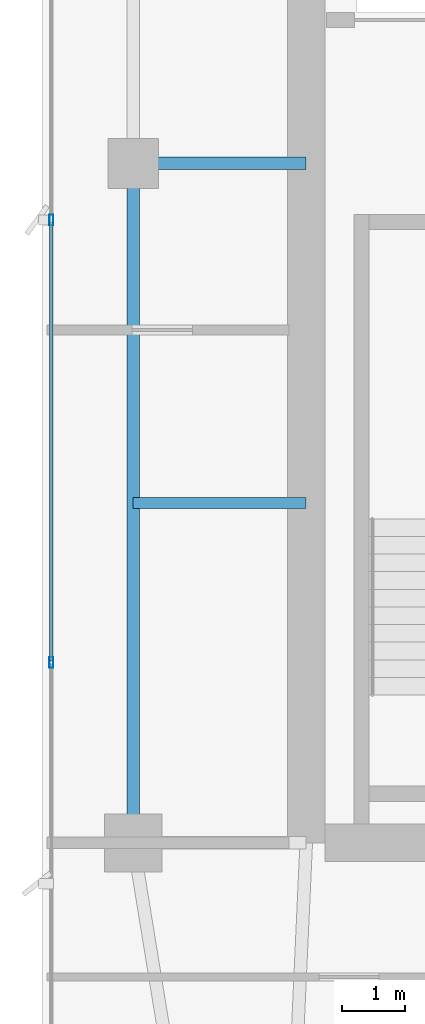
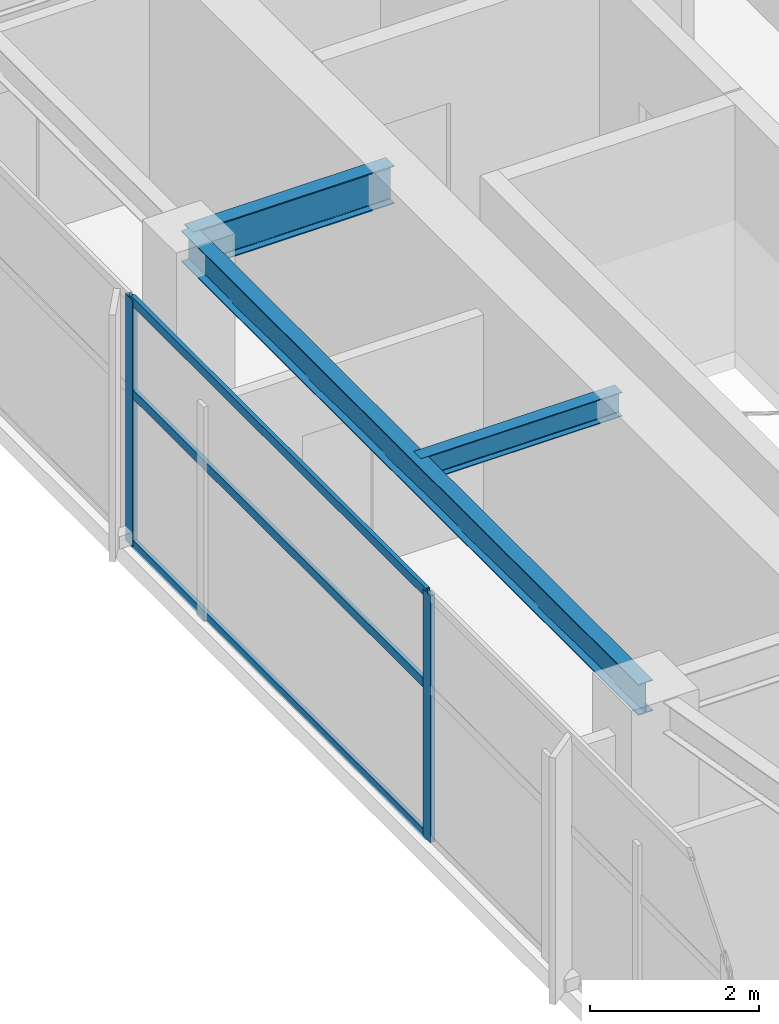
# One storey, part 9 of 28: 5 members, 3 beams, 1 element without a shape of its own.
"""IFC4 building model written with IfcOpenShell, lengths in metres."""

from ifc_helpers import new_model, si_unit, direction, frame, origin, origin_2d, place, context, subcontext, project, spatial, hollow_rectangle, i_section, extrude, material, layer, layer_set, material_profile, profile_set, type_object, element, aggregate, save


model = new_model("IFC4")

# Units and contexts
model_context = context("Model", 3, precision=1e-05, world=origin(), true_north=direction((0.0, 1.0)))
body_context = subcontext(model_context, "Body", "Model", "MODEL_VIEW")
ifc_project = project(units=[si_unit("LENGTHUNIT", "METRE"), si_unit("AREAUNIT", "SQUARE_METRE"), si_unit("VOLUMEUNIT", "CUBIC_METRE"), si_unit("PLANEANGLEUNIT", "RADIAN"), si_unit("MASSUNIT", "GRAM", prefix="KILO")], contexts=[model_context])

# Site, building, storey
site_placement = place(None, origin())
site = spatial("IfcSite", under=ifc_project, at=site_placement, CompositionType="ELEMENT")
building_placement = place(site_placement, origin())
building = spatial("IfcBuilding", under=site, at=building_placement, Name="Calvorn Quay Hotel", CompositionType="ELEMENT")
storey_placement = place(building_placement, frame((0.0, 0.0, 267.300048828125)))
storey = spatial("IfcBuildingStorey", under=building, at=storey_placement, Name="L66", CompositionType="ELEMENT", Elevation=267.300048828125)

# Beams
ifc_material_1 = material(Name="Steel Q355B", Category="steel")
ifc_material_profile_1 = material_profile(ifc_material_1, i_section(OverallWidth=0.199951171875, OverallDepth=0.550048828125, WebThickness=0.010009765625, FlangeThickness=0.01611328125, FilletRadius=0.01806640625, at=origin_2d()), Name="HN550x200x10x16")
ifc_profile_set_1 = profile_set([ifc_material_profile_1], Name="Steel Q355B")
beam_type_1 = type_object("IfcBeamType", Name="BM-GIRD-UPP", PredefinedType="BEAM", material=ifc_profile_set_1)
beam_1_placement = place(storey_placement, frame((1.449951171875, 27.60009765625, 3.264892578125), z_axis=(1.0, 0.0, 0.0), x_axis=(0.0, 1.0, 0.0)))
element("IfcBeam", 1, at=beam_1_placement, inside=storey, type_object=beam_type_1, Name="Beam BG-L66-W2", PredefinedType="BEAM", context=body_context, shape_type="SweptSolid", body=[
    extrude(i_section(OverallWidth=0.199951171875, OverallDepth=0.550048828125, WebThickness=0.010009765625, FlangeThickness=0.01611328125, FilletRadius=0.01806640625, at=origin_2d()), origin(), (0.0, 0.0, 1.0), 2.75),
])
ifc_material_2 = material(Name="Steel Q355B", Category="steel")
ifc_material_profile_2 = material_profile(ifc_material_2, i_section(OverallWidth=0.175048828125, OverallDepth=0.35009765625, WebThickness=0.007080078125, FlangeThickness=0.010986328125, FilletRadius=0.013916015625, at=origin_2d()), Name="HN350x175x7x11")
ifc_profile_set_2 = profile_set([ifc_material_profile_2], Name="Steel Q355B")
beam_type_2 = type_object("IfcBeamType", Name="BM-JOIST-SEC", PredefinedType="JOIST", material=ifc_profile_set_2)
beam_2_placement = place(storey_placement, frame((1.449951171875, 22.199951171875, 3.364990234375), z_axis=(1.0, 0.0, 0.0), x_axis=(0.0, 1.0, 0.0)))
element("IfcBeam", 2, at=beam_2_placement, inside=storey, type_object=beam_type_2, Name="Beam BJ-L66-W3", PredefinedType="JOIST", context=body_context, shape_type="SweptSolid", body=[
    extrude(i_section(OverallWidth=0.175048828125, OverallDepth=0.35009765625, WebThickness=0.007080078125, FlangeThickness=0.010986328125, FilletRadius=0.013916015625, at=origin_2d()), origin(), (0.0, 0.0, 1.0), 2.75),
])
ifc_material_3 = material(Name="Steel Q355B", Category="steel")
ifc_material_profile_3 = material_profile(ifc_material_3, i_section(OverallWidth=0.199951171875, OverallDepth=0.449951171875, WebThickness=0.009033203125, FlangeThickness=0.013916015625, FilletRadius=0.01611328125, at=origin_2d()), Name="HN450x200x9x14")
ifc_profile_set_3 = profile_set([ifc_material_profile_3], Name="Steel Q355B")
beam_type_3 = type_object("IfcBeamType", Name="BM-SPANDREL-Z3", PredefinedType="SPANDREL", material=ifc_profile_set_3)
beam_3_placement = place(storey_placement, frame((1.449951171875, 16.800048828125, 3.31494140625), z_axis=(0.0, 1.0, 0.0), x_axis=(-1.0, 0.0, 0.0)))
element("IfcBeam", 3, at=beam_3_placement, inside=storey, type_object=beam_type_3, Name="Beam BSP-L66-W2", PredefinedType="SPANDREL", context=body_context, shape_type="SweptSolid", body=[
    extrude(i_section(OverallWidth=0.199951171875, OverallDepth=0.449951171875, WebThickness=0.009033203125, FlangeThickness=0.013916015625, FilletRadius=0.01611328125, at=origin_2d()), origin(), (0.0, 0.0, 1.0), 10.800048828125),
])

# Curtain wall, members
ifc_material_4 = material(Name="Champagne Bronze Anodised Aluminium and Low-E Glass", Category="aluminium")
ifc_layer = layer(ifc_material_4, 0.219970703125)
ifc_layer_set = layer_set([ifc_layer], Name="CW-SYS-Z4")
curtain_wall_type = type_object("IfcCurtainWallType", Name="CW-SYS-Z4", PredefinedType="NOTDEFINED", material=ifc_layer_set)
curtain_wall_placement = place(storey_placement, origin())
curtain_wall = element("IfcCurtainWall", 4, at=curtain_wall_placement, inside=storey, type_object=curtain_wall_type, Name="Tower West Curtain Wall (L66)", PredefinedType="NOTDEFINED")
ifc_material_5 = material(Name="Champagne Bronze Anodised Aluminium 6063-T6", Category="aluminium")
ifc_material_profile_4 = material_profile(ifc_material_5, hollow_rectangle(XDim=0.06494140625, YDim=0.169921875, WallThickness=0.00341796875, at=origin_2d()), Name="ALU-M170x65x3.5")
ifc_profile_set_4 = profile_set([ifc_material_profile_4], Name="Champagne Bronze Anodised Aluminium 6063-T6")
member_type_1 = type_object("IfcMemberType", Name="CW-SYS-Z4-MUL", PredefinedType="MULLION", material=ifc_profile_set_4)
member_1_placement = place(storey_placement, frame((0.14990234375, 19.666748046875, 0.0), z_axis=(0.0, 0.0, 1.0), x_axis=(-1.0, 0.0, 0.0)))
member_1 = element("IfcMember", 5, at=member_1_placement, type_object=member_type_1, Name="CW-L66-W mullion 3", PredefinedType="MULLION", context=body_context, shape_type="SweptSolid", body=[
    extrude(hollow_rectangle(XDim=0.06494140625, YDim=0.169921875, WallThickness=0.00341796875, at=origin_2d()), origin(), (0.0, 0.0, 1.0), 3.56005859375),
])
member_2_placement = place(storey_placement, frame((0.14990234375, 26.699951171875, 0.0), z_axis=(0.0, 0.0, 1.0), x_axis=(-1.0, 0.0, 0.0)))
member_2 = element("IfcMember", 6, at=member_2_placement, type_object=member_type_1, Name="CW-L66-W mullion 4", PredefinedType="MULLION", context=body_context, shape_type="SweptSolid", body=[
    extrude(hollow_rectangle(XDim=0.06494140625, YDim=0.169921875, WallThickness=0.00341796875, at=origin_2d()), origin(), (0.0, 0.0, 1.0), 3.56005859375),
])
ifc_material_6 = material(Name="Champagne Bronze Anodised Aluminium 6063-T6", Category="aluminium")
ifc_material_profile_5 = material_profile(ifc_material_6, hollow_rectangle(XDim=0.054931640625, YDim=0.1298828125, WallThickness=0.003173828125, at=origin_2d()), Name="ALU-T130x55x3.2")
ifc_profile_set_5 = profile_set([ifc_material_profile_5], Name="Champagne Bronze Anodised Aluminium 6063-T6")
member_type_2 = type_object("IfcMemberType", Name="CW-SYS-Z4-TRN", PredefinedType="USERDEFINED", material=ifc_profile_set_5)
member_3_placement = place(storey_placement, frame((0.14990234375, 19.69677734375, 0.030029296875), z_axis=(0.0, 1.0, 0.0), x_axis=(-1.0, 0.0, 0.0)))
member_3 = element("IfcMember", 7, at=member_3_placement, type_object=member_type_2, Name="CW-L66-W transom 3.1", ObjectType="TRANSOM", PredefinedType="USERDEFINED", context=body_context, shape_type="SweptSolid", body=[
    extrude(hollow_rectangle(XDim=0.054931640625, YDim=0.1298828125, WallThickness=0.003173828125, at=origin_2d()), origin(), (0.0, 0.0, 1.0), 6.97314453125),
])
member_4_placement = place(storey_placement, frame((0.14990234375, 19.69677734375, 2.199951171875), z_axis=(0.0, 1.0, 0.0), x_axis=(-1.0, 0.0, 0.0)))
member_4 = element("IfcMember", 8, at=member_4_placement, type_object=member_type_2, Name="CW-L66-W transom 3.2", ObjectType="TRANSOM", PredefinedType="USERDEFINED", context=body_context, shape_type="SweptSolid", body=[
    extrude(hollow_rectangle(XDim=0.054931640625, YDim=0.1298828125, WallThickness=0.003173828125, at=origin_2d()), origin(), (0.0, 0.0, 1.0), 6.97314453125),
])
member_5_placement = place(storey_placement, frame((0.14990234375, 19.69677734375, 3.530029296875), z_axis=(0.0, 1.0, 0.0), x_axis=(-1.0, 0.0, 0.0)))
member_5 = element("IfcMember", 9, at=member_5_placement, type_object=member_type_2, Name="CW-L66-W transom 3.3", ObjectType="TRANSOM", PredefinedType="USERDEFINED", context=body_context, shape_type="SweptSolid", body=[
    extrude(hollow_rectangle(XDim=0.054931640625, YDim=0.1298828125, WallThickness=0.003173828125, at=origin_2d()), origin(), (0.0, 0.0, 1.0), 6.97314453125),
])
aggregate(curtain_wall, [member_1, member_2, member_3, member_4, member_5])

save(model, "model.ifc")
